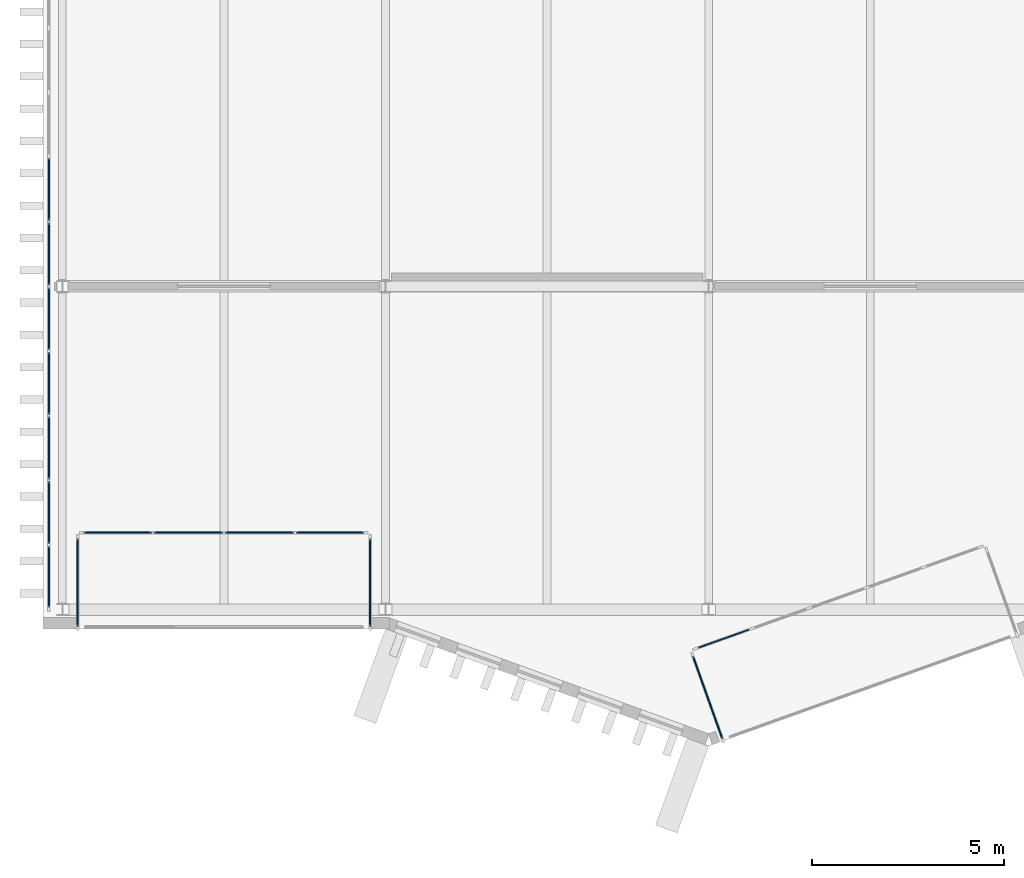
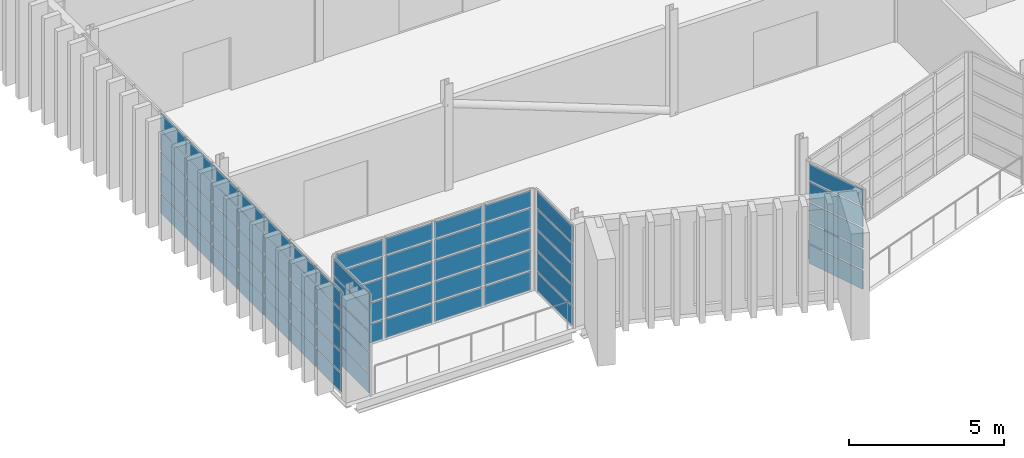
# One storey, part 44 of 100: 71 plates, 6 elements without a shape of their own.
"""IFC4 building model written with IfcOpenShell, lengths in metres."""

from ifc_helpers import new_model, si_unit, direction, frame, origin, origin_2d, place, context, subcontext, project, spatial, rectangle, extrude, material, layer, layer_set, type_object, element, aggregate, save


model = new_model("IFC4")

# Units and contexts
model_context = context("Model", 3, precision=1e-05, world=origin(), true_north=direction((0.0, 1.0)))
body_context = subcontext(model_context, "Body", "Model", "MODEL_VIEW")
ifc_project = project(units=[si_unit("LENGTHUNIT", "METRE"), si_unit("AREAUNIT", "SQUARE_METRE"), si_unit("VOLUMEUNIT", "CUBIC_METRE"), si_unit("PLANEANGLEUNIT", "RADIAN"), si_unit("MASSUNIT", "GRAM", prefix="KILO")], contexts=[model_context])

# Site, building, storey
site_placement = place(None, origin())
site = spatial("IfcSite", under=ifc_project, at=site_placement, CompositionType="ELEMENT")
building_placement = place(site_placement, origin())
building = spatial("IfcBuilding", under=site, at=building_placement, Name="Cresset Court Congress Hotel", CompositionType="ELEMENT")
storey_placement = place(building_placement, frame((0.0, 0.0, 10.199951171875)))
storey = spatial("IfcBuildingStorey", under=building, at=storey_placement, Name="L02", CompositionType="ELEMENT", Elevation=10.199951171875)

# Curtain wall, plates
ifc_material_1 = material(Name="Aluminium frame with double glazing", Category="aluminium")
ifc_layer_1 = layer(ifc_material_1, 0.199951171875)
ifc_layer_set_1 = layer_set([ifc_layer_1], Name="Glazed box curtain wall 1680 module")
curtain_wall_type = type_object("IfcCurtainWallType", Name="Glazed box curtain wall 1680 module", PredefinedType="NOTDEFINED", material=ifc_layer_set_1)
curtain_wall_1_placement = place(storey_placement, origin())
curtain_wall_1 = element("IfcCurtainWall", 1, at=curtain_wall_1_placement, inside=storey, type_object=curtain_wall_type, Name="Glazed box S0201 front", PredefinedType="NOTDEFINED")
ifc_material_2 = material(Name="Toughened double glazing", Category="glass")
ifc_layer_2 = layer(ifc_material_2, 0.028076171875)
ifc_layer_set_2 = layer_set([ifc_layer_2], Name="Box glass panel 28")
plate_type_1 = type_object("IfcPlateType", Name="Box glass panel 28", PredefinedType="CURTAIN_PANEL", material=ifc_layer_set_2)
plate_1_placement = place(storey_placement, frame((9.840087890625, 2.0, 0.06005859375), z_axis=(0.0, 0.0, 1.0), x_axis=(1.0, 0.0, 0.0)))
plate_1 = element("IfcPlate", 2, at=plate_1_placement, type_object=plate_type_1, Name="B-X1 panel 1.1", PredefinedType="CURTAIN_PANEL", context=body_context, shape_type="SweptSolid", body=[
    extrude(rectangle(XDim=1.760009765625, YDim=0.028076171875, at=origin_2d()), origin(), (0.0, 0.0, 1.0), 0.739990234375),
])
plate_2_placement = place(storey_placement, frame((9.840087890625, 2.0, 0.860107421875), z_axis=(0.0, 0.0, 1.0), x_axis=(1.0, 0.0, 0.0)))
plate_2 = element("IfcPlate", 3, at=plate_2_placement, type_object=plate_type_1, Name="B-X1 panel 1.2", PredefinedType="CURTAIN_PANEL", context=body_context, shape_type="SweptSolid", body=[
    extrude(rectangle(XDim=1.760009765625, YDim=0.028076171875, at=origin_2d()), origin(), (0.0, 0.0, 1.0), 0.77001953125),
])
plate_3_placement = place(storey_placement, frame((9.840087890625, 2.0, 1.68994140625), z_axis=(0.0, 0.0, 1.0), x_axis=(1.0, 0.0, 0.0)))
plate_3 = element("IfcPlate", 4, at=plate_3_placement, type_object=plate_type_1, Name="B-X1 panel 1.3", PredefinedType="CURTAIN_PANEL", context=body_context, shape_type="SweptSolid", body=[
    extrude(rectangle(XDim=1.760009765625, YDim=0.028076171875, at=origin_2d()), origin(), (0.0, 0.0, 1.0), 0.77001953125),
])
plate_4_placement = place(storey_placement, frame((9.840087890625, 2.0, 2.52001953125), z_axis=(0.0, 0.0, 1.0), x_axis=(1.0, 0.0, 0.0)))
plate_4 = element("IfcPlate", 5, at=plate_4_placement, type_object=plate_type_1, Name="B-X1 panel 1.4", PredefinedType="CURTAIN_PANEL", context=body_context, shape_type="SweptSolid", body=[
    extrude(rectangle(XDim=1.760009765625, YDim=0.028076171875, at=origin_2d()), origin(), (0.0, 0.0, 1.0), 0.77001953125),
])
plate_5_placement = place(storey_placement, frame((11.675048828125, 2.0, 0.06005859375), z_axis=(0.0, 0.0, 1.0), x_axis=(1.0, 0.0, 0.0)))
plate_5 = element("IfcPlate", 6, at=plate_5_placement, type_object=plate_type_1, Name="B-X1 panel 2.1", PredefinedType="CURTAIN_PANEL", context=body_context, shape_type="SweptSolid", body=[
    extrude(rectangle(XDim=1.7900390625, YDim=0.028076171875, at=origin_2d()), origin(), (0.0, 0.0, 1.0), 0.739990234375),
])
plate_6_placement = place(storey_placement, frame((11.675048828125, 2.0, 0.860107421875), z_axis=(0.0, 0.0, 1.0), x_axis=(1.0, 0.0, 0.0)))
plate_6 = element("IfcPlate", 7, at=plate_6_placement, type_object=plate_type_1, Name="B-X1 panel 2.2", PredefinedType="CURTAIN_PANEL", context=body_context, shape_type="SweptSolid", body=[
    extrude(rectangle(XDim=1.7900390625, YDim=0.028076171875, at=origin_2d()), origin(), (0.0, 0.0, 1.0), 0.77001953125),
])
plate_7_placement = place(storey_placement, frame((11.675048828125, 2.0, 1.68994140625), z_axis=(0.0, 0.0, 1.0), x_axis=(1.0, 0.0, 0.0)))
plate_7 = element("IfcPlate", 8, at=plate_7_placement, type_object=plate_type_1, Name="B-X1 panel 2.3", PredefinedType="CURTAIN_PANEL", context=body_context, shape_type="SweptSolid", body=[
    extrude(rectangle(XDim=1.7900390625, YDim=0.028076171875, at=origin_2d()), origin(), (0.0, 0.0, 1.0), 0.77001953125),
])
plate_8_placement = place(storey_placement, frame((11.675048828125, 2.0, 2.52001953125), z_axis=(0.0, 0.0, 1.0), x_axis=(1.0, 0.0, 0.0)))
plate_8 = element("IfcPlate", 9, at=plate_8_placement, type_object=plate_type_1, Name="B-X1 panel 2.4", PredefinedType="CURTAIN_PANEL", context=body_context, shape_type="SweptSolid", body=[
    extrude(rectangle(XDim=1.7900390625, YDim=0.028076171875, at=origin_2d()), origin(), (0.0, 0.0, 1.0), 0.77001953125),
])
plate_9_placement = place(storey_placement, frame((13.52490234375, 2.0, 0.06005859375), z_axis=(0.0, 0.0, 1.0), x_axis=(1.0, 0.0, 0.0)))
plate_9 = element("IfcPlate", 10, at=plate_9_placement, type_object=plate_type_1, Name="B-X1 panel 3.1", PredefinedType="CURTAIN_PANEL", context=body_context, shape_type="SweptSolid", body=[
    extrude(rectangle(XDim=1.7900390625, YDim=0.028076171875, at=origin_2d()), origin(), (0.0, 0.0, 1.0), 0.739990234375),
])
plate_10_placement = place(storey_placement, frame((13.52490234375, 2.0, 0.860107421875), z_axis=(0.0, 0.0, 1.0), x_axis=(1.0, 0.0, 0.0)))
plate_10 = element("IfcPlate", 11, at=plate_10_placement, type_object=plate_type_1, Name="B-X1 panel 3.2", PredefinedType="CURTAIN_PANEL", context=body_context, shape_type="SweptSolid", body=[
    extrude(rectangle(XDim=1.7900390625, YDim=0.028076171875, at=origin_2d()), origin(), (0.0, 0.0, 1.0), 0.77001953125),
])
plate_11_placement = place(storey_placement, frame((13.52490234375, 2.0, 1.68994140625), z_axis=(0.0, 0.0, 1.0), x_axis=(1.0, 0.0, 0.0)))
plate_11 = element("IfcPlate", 12, at=plate_11_placement, type_object=plate_type_1, Name="B-X1 panel 3.3", PredefinedType="CURTAIN_PANEL", context=body_context, shape_type="SweptSolid", body=[
    extrude(rectangle(XDim=1.7900390625, YDim=0.028076171875, at=origin_2d()), origin(), (0.0, 0.0, 1.0), 0.77001953125),
])
plate_12_placement = place(storey_placement, frame((13.52490234375, 2.0, 2.52001953125), z_axis=(0.0, 0.0, 1.0), x_axis=(1.0, 0.0, 0.0)))
plate_12 = element("IfcPlate", 13, at=plate_12_placement, type_object=plate_type_1, Name="B-X1 panel 3.4", PredefinedType="CURTAIN_PANEL", context=body_context, shape_type="SweptSolid", body=[
    extrude(rectangle(XDim=1.7900390625, YDim=0.028076171875, at=origin_2d()), origin(), (0.0, 0.0, 1.0), 0.77001953125),
])
plate_13_placement = place(storey_placement, frame((15.360107421875, 2.0, 0.06005859375), z_axis=(0.0, 0.0, 1.0), x_axis=(1.0, 0.0, 0.0)))
plate_13 = element("IfcPlate", 14, at=plate_13_placement, type_object=plate_type_1, Name="B-X1 panel 4.1", PredefinedType="CURTAIN_PANEL", context=body_context, shape_type="SweptSolid", body=[
    extrude(rectangle(XDim=1.760009765625, YDim=0.028076171875, at=origin_2d()), origin(), (0.0, 0.0, 1.0), 0.739990234375),
])
plate_14_placement = place(storey_placement, frame((15.360107421875, 2.0, 0.860107421875), z_axis=(0.0, 0.0, 1.0), x_axis=(1.0, 0.0, 0.0)))
plate_14 = element("IfcPlate", 15, at=plate_14_placement, type_object=plate_type_1, Name="B-X1 panel 4.2", PredefinedType="CURTAIN_PANEL", context=body_context, shape_type="SweptSolid", body=[
    extrude(rectangle(XDim=1.760009765625, YDim=0.028076171875, at=origin_2d()), origin(), (0.0, 0.0, 1.0), 0.77001953125),
])
plate_15_placement = place(storey_placement, frame((15.360107421875, 2.0, 1.68994140625), z_axis=(0.0, 0.0, 1.0), x_axis=(1.0, 0.0, 0.0)))
plate_15 = element("IfcPlate", 16, at=plate_15_placement, type_object=plate_type_1, Name="B-X1 panel 4.3", PredefinedType="CURTAIN_PANEL", context=body_context, shape_type="SweptSolid", body=[
    extrude(rectangle(XDim=1.760009765625, YDim=0.028076171875, at=origin_2d()), origin(), (0.0, 0.0, 1.0), 0.77001953125),
])
plate_16_placement = place(storey_placement, frame((15.360107421875, 2.0, 2.52001953125), z_axis=(0.0, 0.0, 1.0), x_axis=(1.0, 0.0, 0.0)))
plate_16 = element("IfcPlate", 17, at=plate_16_placement, type_object=plate_type_1, Name="B-X1 panel 4.4", PredefinedType="CURTAIN_PANEL", context=body_context, shape_type="SweptSolid", body=[
    extrude(rectangle(XDim=1.760009765625, YDim=0.028076171875, at=origin_2d()), origin(), (0.0, 0.0, 1.0), 0.77001953125),
])

curtain_wall_2_placement = place(storey_placement, origin())
curtain_wall_2 = element("IfcCurtainWall", 18, at=curtain_wall_2_placement, inside=storey, type_object=curtain_wall_type, Name="Glazed box S0201 side", PredefinedType="NOTDEFINED")
plate_17_placement = place(storey_placement, frame((8.800048828125, 0.699951171875, 0.06005859375), z_axis=(0.0, 0.0, 1.0), x_axis=(0.0, 1.0, 0.0)))
plate_17 = element("IfcPlate", 19, at=plate_17_placement, type_object=plate_type_1, Name="B-X1 panel 1.1", PredefinedType="CURTAIN_PANEL", context=body_context, shape_type="SweptSolid", body=[
    extrude(rectangle(XDim=2.280029296875, YDim=0.028076171875, at=origin_2d()), origin(), (0.0, 0.0, 1.0), 0.739990234375),
])
plate_18_placement = place(storey_placement, frame((8.800048828125, 0.699951171875, 0.860107421875), z_axis=(0.0, 0.0, 1.0), x_axis=(0.0, 1.0, 0.0)))
plate_18 = element("IfcPlate", 20, at=plate_18_placement, type_object=plate_type_1, Name="B-X1 panel 1.2", PredefinedType="CURTAIN_PANEL", context=body_context, shape_type="SweptSolid", body=[
    extrude(rectangle(XDim=2.280029296875, YDim=0.028076171875, at=origin_2d()), origin(), (0.0, 0.0, 1.0), 0.77001953125),
])
plate_19_placement = place(storey_placement, frame((8.800048828125, 0.699951171875, 1.68994140625), z_axis=(0.0, 0.0, 1.0), x_axis=(0.0, 1.0, 0.0)))
plate_19 = element("IfcPlate", 21, at=plate_19_placement, type_object=plate_type_1, Name="B-X1 panel 1.3", PredefinedType="CURTAIN_PANEL", context=body_context, shape_type="SweptSolid", body=[
    extrude(rectangle(XDim=2.280029296875, YDim=0.028076171875, at=origin_2d()), origin(), (0.0, 0.0, 1.0), 0.77001953125),
])
plate_20_placement = place(storey_placement, frame((8.800048828125, 0.699951171875, 2.52001953125), z_axis=(0.0, 0.0, 1.0), x_axis=(0.0, 1.0, 0.0)))
plate_20 = element("IfcPlate", 22, at=plate_20_placement, type_object=plate_type_1, Name="B-X1 panel 1.4", PredefinedType="CURTAIN_PANEL", context=body_context, shape_type="SweptSolid", body=[
    extrude(rectangle(XDim=2.280029296875, YDim=0.028076171875, at=origin_2d()), origin(), (0.0, 0.0, 1.0), 0.77001953125),
])

curtain_wall_3_placement = place(storey_placement, origin())
curtain_wall_3 = element("IfcCurtainWall", 23, at=curtain_wall_3_placement, inside=storey, type_object=curtain_wall_type, Name="Glazed box S0201 side", PredefinedType="NOTDEFINED")
plate_21_placement = place(storey_placement, frame((16.39990234375, 0.699951171875, 0.06005859375), z_axis=(0.0, 0.0, 1.0), x_axis=(0.0, 1.0, 0.0)))
plate_21 = element("IfcPlate", 24, at=plate_21_placement, type_object=plate_type_1, Name="B-X1 panel 1.1", PredefinedType="CURTAIN_PANEL", context=body_context, shape_type="SweptSolid", body=[
    extrude(rectangle(XDim=2.280029296875, YDim=0.028076171875, at=origin_2d()), origin(), (0.0, 0.0, 1.0), 0.739990234375),
])
plate_22_placement = place(storey_placement, frame((16.39990234375, 0.699951171875, 0.860107421875), z_axis=(0.0, 0.0, 1.0), x_axis=(0.0, 1.0, 0.0)))
plate_22 = element("IfcPlate", 25, at=plate_22_placement, type_object=plate_type_1, Name="B-X1 panel 1.2", PredefinedType="CURTAIN_PANEL", context=body_context, shape_type="SweptSolid", body=[
    extrude(rectangle(XDim=2.280029296875, YDim=0.028076171875, at=origin_2d()), origin(), (0.0, 0.0, 1.0), 0.77001953125),
])
plate_23_placement = place(storey_placement, frame((16.39990234375, 0.699951171875, 1.68994140625), z_axis=(0.0, 0.0, 1.0), x_axis=(0.0, 1.0, 0.0)))
plate_23 = element("IfcPlate", 26, at=plate_23_placement, type_object=plate_type_1, Name="B-X1 panel 1.3", PredefinedType="CURTAIN_PANEL", context=body_context, shape_type="SweptSolid", body=[
    extrude(rectangle(XDim=2.280029296875, YDim=0.028076171875, at=origin_2d()), origin(), (0.0, 0.0, 1.0), 0.77001953125),
])
plate_24_placement = place(storey_placement, frame((16.39990234375, 0.699951171875, 2.52001953125), z_axis=(0.0, 0.0, 1.0), x_axis=(0.0, 1.0, 0.0)))
plate_24 = element("IfcPlate", 27, at=plate_24_placement, type_object=plate_type_1, Name="B-X1 panel 1.4", PredefinedType="CURTAIN_PANEL", context=body_context, shape_type="SweptSolid", body=[
    extrude(rectangle(XDim=2.280029296875, YDim=0.028076171875, at=origin_2d()), origin(), (0.0, 0.0, 1.0), 0.77001953125),
])

# Curtain wall, plate
curtain_wall_4_placement = place(storey_placement, origin())
curtain_wall_4 = element("IfcCurtainWall", 28, at=curtain_wall_4_placement, inside=storey, type_object=curtain_wall_type, Name="Glazed box S0204 front", PredefinedType="NOTDEFINED")
plate_25_placement = place(storey_placement, frame((25.590087890625, -0.756103515625, 0.06005859375), z_axis=(0.0, 0.0, 1.0), x_axis=(0.941741911601, 0.336336396981, 0.0)))
plate_25 = element("IfcPlate", 29, at=plate_25_placement, type_object=plate_type_1, Name="B-X1 panel 1.1", PredefinedType="CURTAIN_PANEL", context=body_context, shape_type="SweptSolid", body=[
    extrude(rectangle(XDim=1.493896484375, YDim=0.028076171875, at=origin_2d()), origin(), (0.0, 0.0, 1.0), 0.739990234375),
])
aggregate(curtain_wall_4, [plate_25])

# Curtain wall, plates
curtain_wall_5_placement = place(storey_placement, origin())
curtain_wall_5 = element("IfcCurtainWall", 30, at=curtain_wall_5_placement, inside=storey, type_object=curtain_wall_type, Name="Glazed box S0204 side", PredefinedType="NOTDEFINED")
plate_26_placement = place(storey_placement, frame((25.173095703125, -2.285400390625, 0.06005859375), z_axis=(0.0, 0.0, 1.0), x_axis=(-0.336336397047, 0.941741911578, 0.0)))
plate_26 = element("IfcPlate", 31, at=plate_26_placement, type_object=plate_type_1, Name="B-X1 panel 1.1", PredefinedType="CURTAIN_PANEL", context=body_context, shape_type="SweptSolid", body=[
    extrude(rectangle(XDim=2.280029296875, YDim=0.028076171875, at=origin_2d()), origin(), (0.0, 0.0, 1.0), 0.739990234375),
])
plate_27_placement = place(storey_placement, frame((25.173095703125, -2.285400390625, 0.860107421875), z_axis=(0.0, 0.0, 1.0), x_axis=(-0.336336397047, 0.941741911578, 0.0)))
plate_27 = element("IfcPlate", 32, at=plate_27_placement, type_object=plate_type_1, Name="B-X1 panel 1.2", PredefinedType="CURTAIN_PANEL", context=body_context, shape_type="SweptSolid", body=[
    extrude(rectangle(XDim=2.280029296875, YDim=0.028076171875, at=origin_2d()), origin(), (0.0, 0.0, 1.0), 0.77001953125),
])
plate_28_placement = place(storey_placement, frame((25.173095703125, -2.285400390625, 1.68994140625), z_axis=(0.0, 0.0, 1.0), x_axis=(-0.336336397047, 0.941741911578, 0.0)))
plate_28 = element("IfcPlate", 33, at=plate_28_placement, type_object=plate_type_1, Name="B-X1 panel 1.3", PredefinedType="CURTAIN_PANEL", context=body_context, shape_type="SweptSolid", body=[
    extrude(rectangle(XDim=2.280029296875, YDim=0.028076171875, at=origin_2d()), origin(), (0.0, 0.0, 1.0), 0.77001953125),
])
plate_29_placement = place(storey_placement, frame((25.173095703125, -2.285400390625, 2.52001953125), z_axis=(0.0, 0.0, 1.0), x_axis=(-0.336336397047, 0.941741911578, 0.0)))
plate_29 = element("IfcPlate", 34, at=plate_29_placement, type_object=plate_type_1, Name="B-X1 panel 1.4", PredefinedType="CURTAIN_PANEL", context=body_context, shape_type="SweptSolid", body=[
    extrude(rectangle(XDim=2.280029296875, YDim=0.028076171875, at=origin_2d()), origin(), (0.0, 0.0, 1.0), 0.77001953125),
])

curtain_wall_6_placement = place(storey_placement, origin())
curtain_wall_6 = element("IfcCurtainWall", 35, at=curtain_wall_6_placement, inside=storey, type_object=curtain_wall_type, Name="Foyer glazed front L02", PredefinedType="NOTDEFINED")
plate_30_placement = place(storey_placement, frame((8.050048828125, 0.85498046875, 0.06005859375), z_axis=(0.0, 0.0, 1.0), x_axis=(0.0, 1.0, 0.0)))
plate_30 = element("IfcPlate", 36, at=plate_30_placement, type_object=plate_type_1, Name="B-X1 panel 1.1", PredefinedType="CURTAIN_PANEL", context=body_context, shape_type="SweptSolid", body=[
    extrude(rectangle(XDim=1.590087890625, YDim=0.028076171875, at=origin_2d()), origin(), (0.0, 0.0, 1.0), 0.739990234375),
])
plate_31_placement = place(storey_placement, frame((8.050048828125, 0.85498046875, 0.860107421875), z_axis=(0.0, 0.0, 1.0), x_axis=(0.0, 1.0, 0.0)))
plate_31 = element("IfcPlate", 37, at=plate_31_placement, type_object=plate_type_1, Name="B-X1 panel 1.2", PredefinedType="CURTAIN_PANEL", context=body_context, shape_type="SweptSolid", body=[
    extrude(rectangle(XDim=1.590087890625, YDim=0.028076171875, at=origin_2d()), origin(), (0.0, 0.0, 1.0), 0.77001953125),
])
plate_32_placement = place(storey_placement, frame((8.050048828125, 0.85498046875, 1.68994140625), z_axis=(0.0, 0.0, 1.0), x_axis=(0.0, 1.0, 0.0)))
plate_32 = element("IfcPlate", 38, at=plate_32_placement, type_object=plate_type_1, Name="B-X1 panel 1.3", PredefinedType="CURTAIN_PANEL", context=body_context, shape_type="SweptSolid", body=[
    extrude(rectangle(XDim=1.590087890625, YDim=0.028076171875, at=origin_2d()), origin(), (0.0, 0.0, 1.0), 0.77001953125),
])
plate_33_placement = place(storey_placement, frame((8.050048828125, 0.85498046875, 2.52001953125), z_axis=(0.0, 0.0, 1.0), x_axis=(0.0, 1.0, 0.0)))
plate_33 = element("IfcPlate", 39, at=plate_33_placement, type_object=plate_type_1, Name="B-X1 panel 1.4", PredefinedType="CURTAIN_PANEL", context=body_context, shape_type="SweptSolid", body=[
    extrude(rectangle(XDim=1.590087890625, YDim=0.028076171875, at=origin_2d()), origin(), (0.0, 0.0, 1.0), 0.77001953125),
])
plate_34_placement = place(storey_placement, frame((8.050048828125, 2.52001953125, 0.06005859375), z_axis=(0.0, 0.0, 1.0), x_axis=(0.0, 1.0, 0.0)))
plate_34 = element("IfcPlate", 40, at=plate_34_placement, type_object=plate_type_1, Name="B-X1 panel 2.1", PredefinedType="CURTAIN_PANEL", context=body_context, shape_type="SweptSolid", body=[
    extrude(rectangle(XDim=1.6201171875, YDim=0.028076171875, at=origin_2d()), origin(), (0.0, 0.0, 1.0), 0.739990234375),
])
plate_35_placement = place(storey_placement, frame((8.050048828125, 2.52001953125, 0.860107421875), z_axis=(0.0, 0.0, 1.0), x_axis=(0.0, 1.0, 0.0)))
plate_35 = element("IfcPlate", 41, at=plate_35_placement, type_object=plate_type_1, Name="B-X1 panel 2.2", PredefinedType="CURTAIN_PANEL", context=body_context, shape_type="SweptSolid", body=[
    extrude(rectangle(XDim=1.6201171875, YDim=0.028076171875, at=origin_2d()), origin(), (0.0, 0.0, 1.0), 0.77001953125),
])
plate_36_placement = place(storey_placement, frame((8.050048828125, 2.52001953125, 1.68994140625), z_axis=(0.0, 0.0, 1.0), x_axis=(0.0, 1.0, 0.0)))
plate_36 = element("IfcPlate", 42, at=plate_36_placement, type_object=plate_type_1, Name="B-X1 panel 2.3", PredefinedType="CURTAIN_PANEL", context=body_context, shape_type="SweptSolid", body=[
    extrude(rectangle(XDim=1.6201171875, YDim=0.028076171875, at=origin_2d()), origin(), (0.0, 0.0, 1.0), 0.77001953125),
])
plate_37_placement = place(storey_placement, frame((8.050048828125, 2.52001953125, 2.52001953125), z_axis=(0.0, 0.0, 1.0), x_axis=(0.0, 1.0, 0.0)))
plate_37 = element("IfcPlate", 43, at=plate_37_placement, type_object=plate_type_1, Name="B-X1 panel 2.4", PredefinedType="CURTAIN_PANEL", context=body_context, shape_type="SweptSolid", body=[
    extrude(rectangle(XDim=1.6201171875, YDim=0.028076171875, at=origin_2d()), origin(), (0.0, 0.0, 1.0), 0.77001953125),
])
plate_38_placement = place(storey_placement, frame((8.050048828125, 4.199951171875, 0.06005859375), z_axis=(0.0, 0.0, 1.0), x_axis=(0.0, 1.0, 0.0)))
plate_38 = element("IfcPlate", 44, at=plate_38_placement, type_object=plate_type_1, Name="B-X1 panel 3.1", PredefinedType="CURTAIN_PANEL", context=body_context, shape_type="SweptSolid", body=[
    extrude(rectangle(XDim=1.6201171875, YDim=0.028076171875, at=origin_2d()), origin(), (0.0, 0.0, 1.0), 0.739990234375),
])
plate_39_placement = place(storey_placement, frame((8.050048828125, 4.199951171875, 0.860107421875), z_axis=(0.0, 0.0, 1.0), x_axis=(0.0, 1.0, 0.0)))
plate_39 = element("IfcPlate", 45, at=plate_39_placement, type_object=plate_type_1, Name="B-X1 panel 3.2", PredefinedType="CURTAIN_PANEL", context=body_context, shape_type="SweptSolid", body=[
    extrude(rectangle(XDim=1.6201171875, YDim=0.028076171875, at=origin_2d()), origin(), (0.0, 0.0, 1.0), 0.77001953125),
])
plate_40_placement = place(storey_placement, frame((8.050048828125, 4.199951171875, 1.68994140625), z_axis=(0.0, 0.0, 1.0), x_axis=(0.0, 1.0, 0.0)))
plate_40 = element("IfcPlate", 46, at=plate_40_placement, type_object=plate_type_1, Name="B-X1 panel 3.3", PredefinedType="CURTAIN_PANEL", context=body_context, shape_type="SweptSolid", body=[
    extrude(rectangle(XDim=1.6201171875, YDim=0.028076171875, at=origin_2d()), origin(), (0.0, 0.0, 1.0), 0.77001953125),
])
plate_41_placement = place(storey_placement, frame((8.050048828125, 4.199951171875, 2.52001953125), z_axis=(0.0, 0.0, 1.0), x_axis=(0.0, 1.0, 0.0)))
plate_41 = element("IfcPlate", 47, at=plate_41_placement, type_object=plate_type_1, Name="B-X1 panel 3.4", PredefinedType="CURTAIN_PANEL", context=body_context, shape_type="SweptSolid", body=[
    extrude(rectangle(XDim=1.6201171875, YDim=0.028076171875, at=origin_2d()), origin(), (0.0, 0.0, 1.0), 0.77001953125),
])
plate_42_placement = place(storey_placement, frame((8.050048828125, 5.8798828125, 0.06005859375), z_axis=(0.0, 0.0, 1.0), x_axis=(0.0, 1.0, 0.0)))
plate_42 = element("IfcPlate", 48, at=plate_42_placement, type_object=plate_type_1, Name="B-X1 panel 4.1", PredefinedType="CURTAIN_PANEL", context=body_context, shape_type="SweptSolid", body=[
    extrude(rectangle(XDim=1.6201171875, YDim=0.028076171875, at=origin_2d()), origin(), (0.0, 0.0, 1.0), 0.739990234375),
])
plate_43_placement = place(storey_placement, frame((8.050048828125, 5.8798828125, 0.860107421875), z_axis=(0.0, 0.0, 1.0), x_axis=(0.0, 1.0, 0.0)))
plate_43 = element("IfcPlate", 49, at=plate_43_placement, type_object=plate_type_1, Name="B-X1 panel 4.2", PredefinedType="CURTAIN_PANEL", context=body_context, shape_type="SweptSolid", body=[
    extrude(rectangle(XDim=1.6201171875, YDim=0.028076171875, at=origin_2d()), origin(), (0.0, 0.0, 1.0), 0.77001953125),
])
plate_44_placement = place(storey_placement, frame((8.050048828125, 5.8798828125, 1.68994140625), z_axis=(0.0, 0.0, 1.0), x_axis=(0.0, 1.0, 0.0)))
plate_44 = element("IfcPlate", 50, at=plate_44_placement, type_object=plate_type_1, Name="B-X1 panel 4.3", PredefinedType="CURTAIN_PANEL", context=body_context, shape_type="SweptSolid", body=[
    extrude(rectangle(XDim=1.6201171875, YDim=0.028076171875, at=origin_2d()), origin(), (0.0, 0.0, 1.0), 0.77001953125),
])
plate_45_placement = place(storey_placement, frame((8.050048828125, 5.8798828125, 2.52001953125), z_axis=(0.0, 0.0, 1.0), x_axis=(0.0, 1.0, 0.0)))
plate_45 = element("IfcPlate", 51, at=plate_45_placement, type_object=plate_type_1, Name="B-X1 panel 4.4", PredefinedType="CURTAIN_PANEL", context=body_context, shape_type="SweptSolid", body=[
    extrude(rectangle(XDim=1.6201171875, YDim=0.028076171875, at=origin_2d()), origin(), (0.0, 0.0, 1.0), 0.77001953125),
])
plate_46_placement = place(storey_placement, frame((8.050048828125, 7.56005859375, 0.06005859375), z_axis=(0.0, 0.0, 1.0), x_axis=(0.0, 1.0, 0.0)))
plate_46 = element("IfcPlate", 52, at=plate_46_placement, type_object=plate_type_1, Name="B-X1 panel 5.1", PredefinedType="CURTAIN_PANEL", context=body_context, shape_type="SweptSolid", body=[
    extrude(rectangle(XDim=1.6201171875, YDim=0.028076171875, at=origin_2d()), origin(), (0.0, 0.0, 1.0), 0.739990234375),
])
plate_47_placement = place(storey_placement, frame((8.050048828125, 7.56005859375, 0.860107421875), z_axis=(0.0, 0.0, 1.0), x_axis=(0.0, 1.0, 0.0)))
plate_47 = element("IfcPlate", 53, at=plate_47_placement, type_object=plate_type_1, Name="B-X1 panel 5.2", PredefinedType="CURTAIN_PANEL", context=body_context, shape_type="SweptSolid", body=[
    extrude(rectangle(XDim=1.6201171875, YDim=0.028076171875, at=origin_2d()), origin(), (0.0, 0.0, 1.0), 0.77001953125),
])
plate_48_placement = place(storey_placement, frame((8.050048828125, 7.56005859375, 1.68994140625), z_axis=(0.0, 0.0, 1.0), x_axis=(0.0, 1.0, 0.0)))
plate_48 = element("IfcPlate", 54, at=plate_48_placement, type_object=plate_type_1, Name="B-X1 panel 5.3", PredefinedType="CURTAIN_PANEL", context=body_context, shape_type="SweptSolid", body=[
    extrude(rectangle(XDim=1.6201171875, YDim=0.028076171875, at=origin_2d()), origin(), (0.0, 0.0, 1.0), 0.77001953125),
])
plate_49_placement = place(storey_placement, frame((8.050048828125, 7.56005859375, 2.52001953125), z_axis=(0.0, 0.0, 1.0), x_axis=(0.0, 1.0, 0.0)))
plate_49 = element("IfcPlate", 55, at=plate_49_placement, type_object=plate_type_1, Name="B-X1 panel 5.4", PredefinedType="CURTAIN_PANEL", context=body_context, shape_type="SweptSolid", body=[
    extrude(rectangle(XDim=1.6201171875, YDim=0.028076171875, at=origin_2d()), origin(), (0.0, 0.0, 1.0), 0.77001953125),
])
plate_50_placement = place(storey_placement, frame((8.050048828125, 9.239990234375, 0.06005859375), z_axis=(0.0, 0.0, 1.0), x_axis=(0.0, 1.0, 0.0)))
plate_50 = element("IfcPlate", 56, at=plate_50_placement, type_object=plate_type_1, Name="B-X1 panel 6.1", PredefinedType="CURTAIN_PANEL", context=body_context, shape_type="SweptSolid", body=[
    extrude(rectangle(XDim=1.6201171875, YDim=0.028076171875, at=origin_2d()), origin(), (0.0, 0.0, 1.0), 0.739990234375),
])
plate_51_placement = place(storey_placement, frame((8.050048828125, 9.239990234375, 0.860107421875), z_axis=(0.0, 0.0, 1.0), x_axis=(0.0, 1.0, 0.0)))
plate_51 = element("IfcPlate", 57, at=plate_51_placement, type_object=plate_type_1, Name="B-X1 panel 6.2", PredefinedType="CURTAIN_PANEL", context=body_context, shape_type="SweptSolid", body=[
    extrude(rectangle(XDim=1.6201171875, YDim=0.028076171875, at=origin_2d()), origin(), (0.0, 0.0, 1.0), 0.77001953125),
])
plate_52_placement = place(storey_placement, frame((8.050048828125, 9.239990234375, 1.68994140625), z_axis=(0.0, 0.0, 1.0), x_axis=(0.0, 1.0, 0.0)))
plate_52 = element("IfcPlate", 58, at=plate_52_placement, type_object=plate_type_1, Name="B-X1 panel 6.3", PredefinedType="CURTAIN_PANEL", context=body_context, shape_type="SweptSolid", body=[
    extrude(rectangle(XDim=1.6201171875, YDim=0.028076171875, at=origin_2d()), origin(), (0.0, 0.0, 1.0), 0.77001953125),
])
plate_53_placement = place(storey_placement, frame((8.050048828125, 9.239990234375, 2.52001953125), z_axis=(0.0, 0.0, 1.0), x_axis=(0.0, 1.0, 0.0)))
plate_53 = element("IfcPlate", 59, at=plate_53_placement, type_object=plate_type_1, Name="B-X1 panel 6.4", PredefinedType="CURTAIN_PANEL", context=body_context, shape_type="SweptSolid", body=[
    extrude(rectangle(XDim=1.6201171875, YDim=0.028076171875, at=origin_2d()), origin(), (0.0, 0.0, 1.0), 0.77001953125),
])
plate_54_placement = place(storey_placement, frame((8.050048828125, 10.919921875, 0.06005859375), z_axis=(0.0, 0.0, 1.0), x_axis=(0.0, 1.0, 0.0)))
plate_54 = element("IfcPlate", 60, at=plate_54_placement, type_object=plate_type_1, Name="B-X1 panel 7.1", PredefinedType="CURTAIN_PANEL", context=body_context, shape_type="SweptSolid", body=[
    extrude(rectangle(XDim=1.6201171875, YDim=0.028076171875, at=origin_2d()), origin(), (0.0, 0.0, 1.0), 0.739990234375),
])
plate_55_placement = place(storey_placement, frame((8.050048828125, 10.919921875, 0.860107421875), z_axis=(0.0, 0.0, 1.0), x_axis=(0.0, 1.0, 0.0)))
plate_55 = element("IfcPlate", 61, at=plate_55_placement, type_object=plate_type_1, Name="B-X1 panel 7.2", PredefinedType="CURTAIN_PANEL", context=body_context, shape_type="SweptSolid", body=[
    extrude(rectangle(XDim=1.6201171875, YDim=0.028076171875, at=origin_2d()), origin(), (0.0, 0.0, 1.0), 0.77001953125),
])
plate_56_placement = place(storey_placement, frame((8.050048828125, 10.919921875, 1.68994140625), z_axis=(0.0, 0.0, 1.0), x_axis=(0.0, 1.0, 0.0)))
plate_56 = element("IfcPlate", 62, at=plate_56_placement, type_object=plate_type_1, Name="B-X1 panel 7.3", PredefinedType="CURTAIN_PANEL", context=body_context, shape_type="SweptSolid", body=[
    extrude(rectangle(XDim=1.6201171875, YDim=0.028076171875, at=origin_2d()), origin(), (0.0, 0.0, 1.0), 0.77001953125),
])
plate_57_placement = place(storey_placement, frame((8.050048828125, 10.919921875, 2.52001953125), z_axis=(0.0, 0.0, 1.0), x_axis=(0.0, 1.0, 0.0)))
plate_57 = element("IfcPlate", 63, at=plate_57_placement, type_object=plate_type_1, Name="B-X1 panel 7.4", PredefinedType="CURTAIN_PANEL", context=body_context, shape_type="SweptSolid", body=[
    extrude(rectangle(XDim=1.6201171875, YDim=0.028076171875, at=origin_2d()), origin(), (0.0, 0.0, 1.0), 0.77001953125),
])

# Plate
ifc_material_3 = material(Name="Insulated aluminium spandrel panel", Category="aluminium")
ifc_layer_3 = layer(ifc_material_3, 0.0400390625)
ifc_layer_set_3 = layer_set([ifc_layer_3], Name="Box spandrel panel 40")
plate_type_2 = type_object("IfcPlateType", Name="Box spandrel panel 40", PredefinedType="CURTAIN_PANEL", material=ifc_layer_set_3)
plate_58_placement = place(storey_placement, frame((9.840087890625, 2.0, 3.35009765625), z_axis=(0.0, 0.0, 1.0), x_axis=(1.0, 0.0, 0.0)))
plate_58 = element("IfcPlate", 64, at=plate_58_placement, type_object=plate_type_2, Name="B-X1 spandrel panel 1.5", PredefinedType="CURTAIN_PANEL", context=body_context, shape_type="SweptSolid", body=[
    extrude(rectangle(XDim=1.760009765625, YDim=0.0400390625, at=origin_2d()), origin(), (0.0, 0.0, 1.0), 0.639892578125),
])

plate_59_placement = place(storey_placement, frame((11.675048828125, 2.0, 3.35009765625), z_axis=(0.0, 0.0, 1.0), x_axis=(1.0, 0.0, 0.0)))
plate_59 = element("IfcPlate", 65, at=plate_59_placement, type_object=plate_type_2, Name="B-X1 spandrel panel 2.5", PredefinedType="CURTAIN_PANEL", context=body_context, shape_type="SweptSolid", body=[
    extrude(rectangle(XDim=1.7900390625, YDim=0.0400390625, at=origin_2d()), origin(), (0.0, 0.0, 1.0), 0.639892578125),
])

plate_60_placement = place(storey_placement, frame((13.52490234375, 2.0, 3.35009765625), z_axis=(0.0, 0.0, 1.0), x_axis=(1.0, 0.0, 0.0)))
plate_60 = element("IfcPlate", 66, at=plate_60_placement, type_object=plate_type_2, Name="B-X1 spandrel panel 3.5", PredefinedType="CURTAIN_PANEL", context=body_context, shape_type="SweptSolid", body=[
    extrude(rectangle(XDim=1.7900390625, YDim=0.0400390625, at=origin_2d()), origin(), (0.0, 0.0, 1.0), 0.639892578125),
])

plate_61_placement = place(storey_placement, frame((15.360107421875, 2.0, 3.35009765625), z_axis=(0.0, 0.0, 1.0), x_axis=(1.0, 0.0, 0.0)))
plate_61 = element("IfcPlate", 67, at=plate_61_placement, type_object=plate_type_2, Name="B-X1 spandrel panel 4.5", PredefinedType="CURTAIN_PANEL", context=body_context, shape_type="SweptSolid", body=[
    extrude(rectangle(XDim=1.760009765625, YDim=0.0400390625, at=origin_2d()), origin(), (0.0, 0.0, 1.0), 0.639892578125),
])

aggregate(curtain_wall_1, [plate_1, plate_2, plate_3, plate_4, plate_58, plate_5, plate_6, plate_7, plate_8, plate_59, plate_9, plate_10, plate_11, plate_12, plate_60, plate_13, plate_14, plate_15, plate_16, plate_61])

plate_62_placement = place(storey_placement, frame((8.800048828125, 0.699951171875, 3.35009765625), z_axis=(0.0, 0.0, 1.0), x_axis=(0.0, 1.0, 0.0)))
plate_62 = element("IfcPlate", 68, at=plate_62_placement, type_object=plate_type_2, Name="B-X1 spandrel panel 1.5", PredefinedType="CURTAIN_PANEL", context=body_context, shape_type="SweptSolid", body=[
    extrude(rectangle(XDim=2.280029296875, YDim=0.0400390625, at=origin_2d()), origin(), (0.0, 0.0, 1.0), 0.639892578125),
])

aggregate(curtain_wall_2, [plate_17, plate_18, plate_19, plate_20, plate_62])

plate_63_placement = place(storey_placement, frame((16.39990234375, 0.699951171875, 3.35009765625), z_axis=(0.0, 0.0, 1.0), x_axis=(0.0, 1.0, 0.0)))
plate_63 = element("IfcPlate", 69, at=plate_63_placement, type_object=plate_type_2, Name="B-X1 spandrel panel 1.5", PredefinedType="CURTAIN_PANEL", context=body_context, shape_type="SweptSolid", body=[
    extrude(rectangle(XDim=2.280029296875, YDim=0.0400390625, at=origin_2d()), origin(), (0.0, 0.0, 1.0), 0.639892578125),
])

aggregate(curtain_wall_3, [plate_21, plate_22, plate_23, plate_24, plate_63])

plate_64_placement = place(storey_placement, frame((25.173095703125, -2.285400390625, 3.35009765625), z_axis=(0.0, 0.0, 1.0), x_axis=(-0.336336397047, 0.941741911578, 0.0)))
plate_64 = element("IfcPlate", 70, at=plate_64_placement, type_object=plate_type_2, Name="B-X1 spandrel panel 1.5", PredefinedType="CURTAIN_PANEL", context=body_context, shape_type="SweptSolid", body=[
    extrude(rectangle(XDim=2.280029296875, YDim=0.0400390625, at=origin_2d()), origin(), (0.0, 0.0, 1.0), 0.639892578125),
])

aggregate(curtain_wall_5, [plate_26, plate_27, plate_28, plate_29, plate_64])

plate_65_placement = place(storey_placement, frame((8.050048828125, 0.85498046875, 3.35009765625), z_axis=(0.0, 0.0, 1.0), x_axis=(0.0, 1.0, 0.0)))
plate_65 = element("IfcPlate", 71, at=plate_65_placement, type_object=plate_type_2, Name="B-X1 spandrel panel 1.5", PredefinedType="CURTAIN_PANEL", context=body_context, shape_type="SweptSolid", body=[
    extrude(rectangle(XDim=1.590087890625, YDim=0.0400390625, at=origin_2d()), origin(), (0.0, 0.0, 1.0), 0.639892578125),
])

plate_66_placement = place(storey_placement, frame((8.050048828125, 2.52001953125, 3.35009765625), z_axis=(0.0, 0.0, 1.0), x_axis=(0.0, 1.0, 0.0)))
plate_66 = element("IfcPlate", 72, at=plate_66_placement, type_object=plate_type_2, Name="B-X1 spandrel panel 2.5", PredefinedType="CURTAIN_PANEL", context=body_context, shape_type="SweptSolid", body=[
    extrude(rectangle(XDim=1.6201171875, YDim=0.0400390625, at=origin_2d()), origin(), (0.0, 0.0, 1.0), 0.639892578125),
])

plate_67_placement = place(storey_placement, frame((8.050048828125, 4.199951171875, 3.35009765625), z_axis=(0.0, 0.0, 1.0), x_axis=(0.0, 1.0, 0.0)))
plate_67 = element("IfcPlate", 73, at=plate_67_placement, type_object=plate_type_2, Name="B-X1 spandrel panel 3.5", PredefinedType="CURTAIN_PANEL", context=body_context, shape_type="SweptSolid", body=[
    extrude(rectangle(XDim=1.6201171875, YDim=0.0400390625, at=origin_2d()), origin(), (0.0, 0.0, 1.0), 0.639892578125),
])

plate_68_placement = place(storey_placement, frame((8.050048828125, 5.8798828125, 3.35009765625), z_axis=(0.0, 0.0, 1.0), x_axis=(0.0, 1.0, 0.0)))
plate_68 = element("IfcPlate", 74, at=plate_68_placement, type_object=plate_type_2, Name="B-X1 spandrel panel 4.5", PredefinedType="CURTAIN_PANEL", context=body_context, shape_type="SweptSolid", body=[
    extrude(rectangle(XDim=1.6201171875, YDim=0.0400390625, at=origin_2d()), origin(), (0.0, 0.0, 1.0), 0.639892578125),
])

plate_69_placement = place(storey_placement, frame((8.050048828125, 7.56005859375, 3.35009765625), z_axis=(0.0, 0.0, 1.0), x_axis=(0.0, 1.0, 0.0)))
plate_69 = element("IfcPlate", 75, at=plate_69_placement, type_object=plate_type_2, Name="B-X1 spandrel panel 5.5", PredefinedType="CURTAIN_PANEL", context=body_context, shape_type="SweptSolid", body=[
    extrude(rectangle(XDim=1.6201171875, YDim=0.0400390625, at=origin_2d()), origin(), (0.0, 0.0, 1.0), 0.639892578125),
])

plate_70_placement = place(storey_placement, frame((8.050048828125, 9.239990234375, 3.35009765625), z_axis=(0.0, 0.0, 1.0), x_axis=(0.0, 1.0, 0.0)))
plate_70 = element("IfcPlate", 76, at=plate_70_placement, type_object=plate_type_2, Name="B-X1 spandrel panel 6.5", PredefinedType="CURTAIN_PANEL", context=body_context, shape_type="SweptSolid", body=[
    extrude(rectangle(XDim=1.6201171875, YDim=0.0400390625, at=origin_2d()), origin(), (0.0, 0.0, 1.0), 0.639892578125),
])

plate_71_placement = place(storey_placement, frame((8.050048828125, 10.919921875, 3.35009765625), z_axis=(0.0, 0.0, 1.0), x_axis=(0.0, 1.0, 0.0)))
plate_71 = element("IfcPlate", 77, at=plate_71_placement, type_object=plate_type_2, Name="B-X1 spandrel panel 7.5", PredefinedType="CURTAIN_PANEL", context=body_context, shape_type="SweptSolid", body=[
    extrude(rectangle(XDim=1.6201171875, YDim=0.0400390625, at=origin_2d()), origin(), (0.0, 0.0, 1.0), 0.639892578125),
])

aggregate(curtain_wall_6, [plate_30, plate_31, plate_32, plate_33, plate_65, plate_34, plate_35, plate_36, plate_37, plate_66, plate_38, plate_39, plate_40, plate_41, plate_67, plate_42, plate_43, plate_44, plate_45, plate_68, plate_46, plate_47, plate_48, plate_49, plate_69, plate_50, plate_51, plate_52, plate_53, plate_70, plate_54, plate_55, plate_56, plate_57, plate_71])

save(model, "model.ifc")
